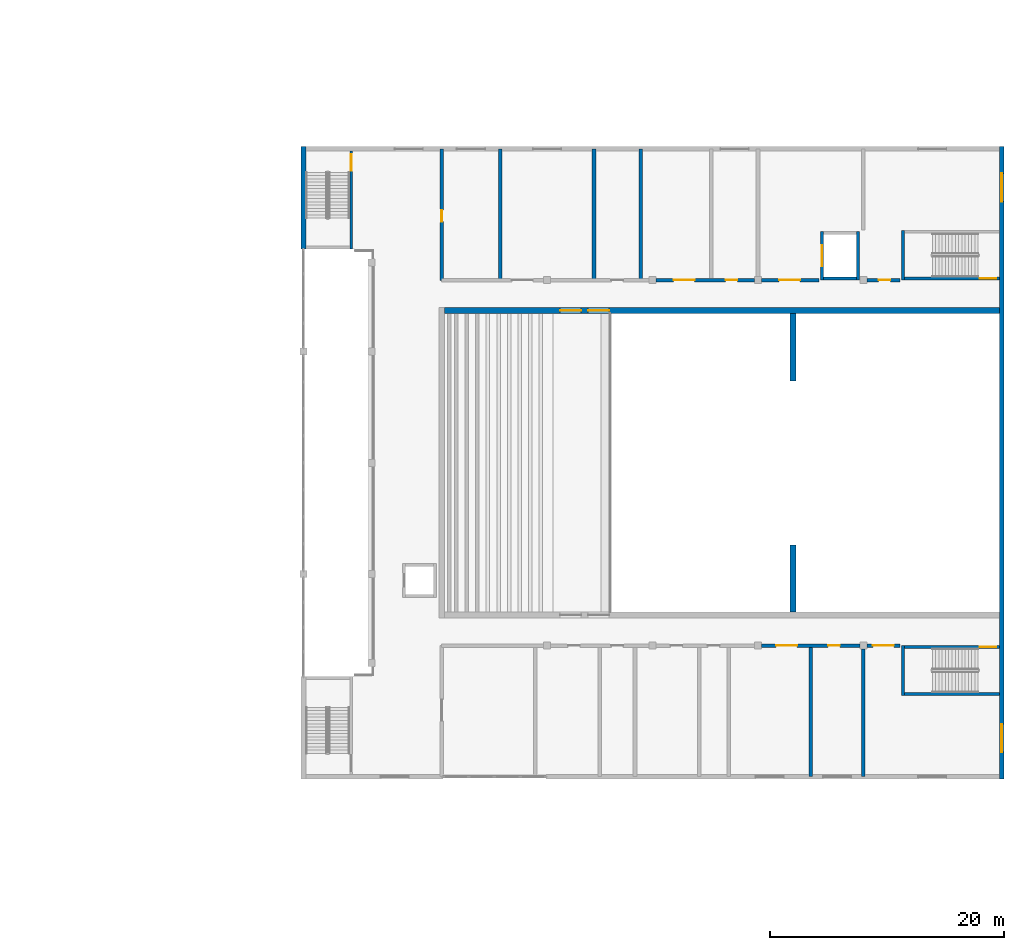
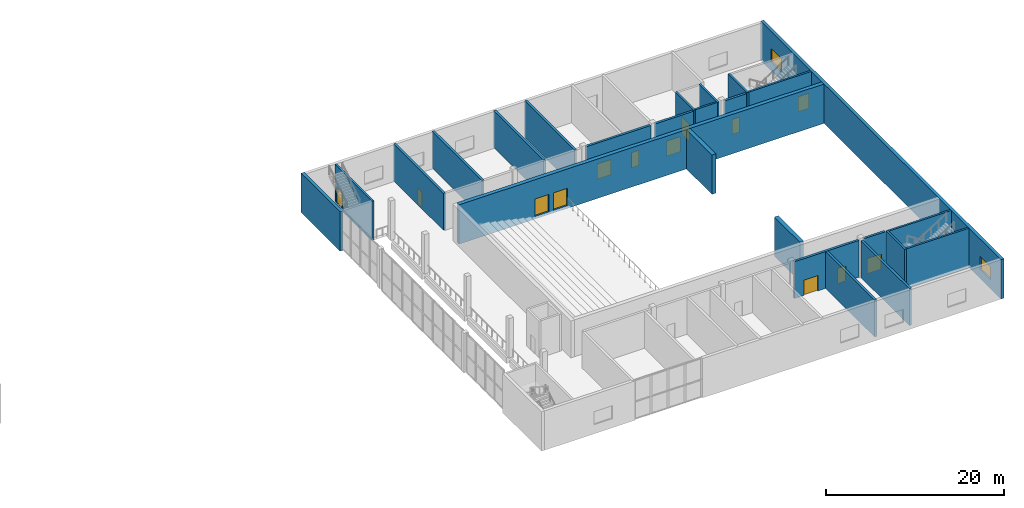
# One storey, part 23 of 44: 25 walls, 14 doors, 2 windows, 16 openings.
"""IFC4 building model written with IfcOpenShell, lengths in metres."""

from ifc_helpers import new_model, si_unit, direction, frame, frame_2d, origin, place, context, subcontext, project, spatial, rectangle, extrude, material, layer, layer_set, type_object, element, fill, save


model = new_model("IFC4")

# Units and contexts
model_context = context("Model", 3, precision=1e-05, world=origin(), true_north=direction((0.0, 1.0)))
body_context = subcontext(model_context, "Body", "Model", "MODEL_VIEW")
ifc_project = project(units=[si_unit("LENGTHUNIT", "METRE"), si_unit("AREAUNIT", "SQUARE_METRE"), si_unit("VOLUMEUNIT", "CUBIC_METRE"), si_unit("PLANEANGLEUNIT", "RADIAN"), si_unit("MASSUNIT", "GRAM", prefix="KILO")], contexts=[model_context])

# Site, building, storey
site_placement = place(None, origin())
site = spatial("IfcSite", under=ifc_project, at=site_placement, CompositionType="ELEMENT")
building_placement = place(site_placement, origin())
building = spatial("IfcBuilding", under=site, at=building_placement, Name="Hunhe Ridgeline Campus", CompositionType="ELEMENT")
storey_placement = place(building_placement, frame((0.0, 0.0, 6.0)))
storey = spatial("IfcBuildingStorey", under=building, at=storey_placement, Name="L01", CompositionType="ELEMENT", Elevation=6.0)

# Wall, openings, doors
ifc_material_1 = material(Name="Concrete C50", Category="concrete")
ifc_layer_1 = layer(ifc_material_1, 0.5)
ifc_layer_set_1 = layer_set([ifc_layer_1], Name="Auditorium RC wall 500 C50")
wall_type_1 = type_object("IfcWallType", Name="Auditorium RC wall 500 C50", PredefinedType="SOLIDWALL", material=ifc_layer_set_1)
wall_1_placement = place(storey_placement, frame((162.25, 62.5, -0.35009765625), z_axis=(0.0, 0.0, 1.0), x_axis=(1.0, 0.0, 0.0)))
wall_1 = element("IfcWall", 1, at=wall_1_placement, inside=storey, type_object=wall_type_1, Name="Auditorium RC wall L01", PredefinedType="SOLIDWALL", context=body_context, shape_type="SweptSolid", body=[
    extrude(rectangle(XDim=47.35009765625, YDim=0.5, at=frame_2d((23.675048828125, 0.0))), origin(), (0.0, 0.0, 1.0), 5.400146484375),
])
opening_1_placement = place(wall_1_placement, frame((9.85009765625, 0.0, 0.35009765625)))
opening_1 = element("IfcOpeningElement", 2, at=opening_1_placement, cuts=wall_1, Name="Opening HD76", PredefinedType="OPENING", context=body_context, shape_type="SweptSolid", body=[
    extrude(rectangle(XDim=1.800048828125, YDim=2.39990234375, at=frame_2d((0.89990234375, 1.199951171875))), frame((0.0, 0.25, 0.0), z_axis=(0.0, -1.0, 0.0), x_axis=(1.0, 0.0, 0.0)), (0.0, 0.0, 1.0), 0.5),
])
opening_2_placement = place(wall_1_placement, frame((12.25, 0.0, 0.35009765625)))
opening_2 = element("IfcOpeningElement", 3, at=opening_2_placement, cuts=wall_1, Name="Opening HD78", PredefinedType="OPENING", context=body_context, shape_type="SweptSolid", body=[
    extrude(rectangle(XDim=1.800048828125, YDim=2.39990234375, at=frame_2d((0.89990234375, 1.199951171875))), frame((0.0, 0.25, 0.0), z_axis=(0.0, -1.0, 0.0), x_axis=(1.0, 0.0, 0.0)), (0.0, 0.0, 1.0), 0.5),
])
ifc_material_2 = material(Name="Timber and lead-lined core", Category="wood")
door_type_1 = type_object("IfcDoorType", Name="Auditorium acoustic double door 1800x2400", OperationType="DOUBLE_DOOR_SINGLE_SWING", PredefinedType="DOOR", material=ifc_material_2)
door_1_placement = place(opening_1_placement, origin())
door_1 = element("IfcDoor", 4, at=door_1_placement, inside=storey, type_object=door_type_1, Name="Circle 1 exit door", OperationType="DOUBLE_DOOR_SINGLE_SWING", OverallHeight=2.39990234375, OverallWidth=1.800048828125, PredefinedType="DOOR", context=body_context, shape_type="SweptSolid", body=[
    extrude(rectangle(XDim=1.800048828125, YDim=2.39990234375, at=frame_2d((0.89990234375, 1.199951171875))), frame((0.0, 0.02490234375, 0.0), z_axis=(0.0, -1.0, 0.0), x_axis=(1.0, 0.0, 0.0)), (0.0, 0.0, 1.0), 0.050048828125),
])
fill(opening_1, door_1)
door_2_placement = place(opening_2_placement, origin())
door_2 = element("IfcDoor", 5, at=door_2_placement, inside=storey, type_object=door_type_1, Name="Circle 1 exit door", OperationType="DOUBLE_DOOR_SINGLE_SWING", OverallHeight=2.39990234375, OverallWidth=1.800048828125, PredefinedType="DOOR", context=body_context, shape_type="SweptSolid", body=[
    extrude(rectangle(XDim=1.800048828125, YDim=2.39990234375, at=frame_2d((0.89990234375, 1.199951171875))), frame((0.0, 0.02490234375, 0.0), z_axis=(0.0, -1.0, 0.0), x_axis=(1.0, 0.0, 0.0)), (0.0, 0.0, 1.0), 0.050048828125),
])
fill(opening_2, door_2)

# Walls
for number, where, z_axis, x_axis, name in (
    (6, (192.0, 36.75, -0.35009765625), (0.0, 0.0, 1.0), (0.0, 1.0, 0.0), "Auditorium RC wall L01"),
    (7, (192.0, 56.5, -0.35009765625), (0.0, 0.0, 1.0), (0.0, 1.0, 0.0), "Auditorium RC wall L01"),
):
    element("IfcWall", number, at=place(storey_placement, frame(where, z_axis=z_axis, x_axis=x_axis)), inside=storey, type_object=wall_type_1, Name=name, PredefinedType="SOLIDWALL", context=body_context, shape_type="SweptSolid", body=[
        extrude(rectangle(XDim=5.75, YDim=0.5, at=frame_2d((2.875, 0.0))), origin(), (0.0, 0.0, 1.0), 5.400146484375),
    ])

# Wall, opening, door
ifc_material_3 = material(Name="Plastered blockwork", Category="masonry")
ifc_layer_2 = layer(ifc_material_3, 0.300048828125)
ifc_layer_set_2 = layer_set([ifc_layer_2], Name="Hall blockwork partition 300")
wall_type_2 = type_object("IfcWallType", Name="Hall blockwork partition 300", PredefinedType="PARTITIONING", material=ifc_layer_set_2)
wall_2_placement = place(storey_placement, frame((162.0, 65.080078125, 0.0), z_axis=(0.0, 0.0, 1.0), x_axis=(0.0, 1.0, 0.0)))
wall_2 = element("IfcWall", 8, at=wall_2_placement, inside=storey, type_object=wall_type_2, Name="L01 partition", PredefinedType="PARTITIONING", context=body_context, shape_type="SweptSolid", body=[
    extrude(rectangle(XDim=11.18994140625, YDim=0.300048828125, at=frame_2d((5.594970703125, 0.0))), origin(), (0.0, 0.0, 1.0), 5.050048828125),
])
opening_3_placement = place(wall_2_placement, frame((5.0, 0.0, 0.0)))
opening_3 = element("IfcOpeningElement", 9, at=opening_3_placement, cuts=wall_2, Name="Opening HD26", PredefinedType="OPENING", context=body_context, shape_type="SweptSolid", body=[
    extrude(rectangle(XDim=1.0, YDim=2.10009765625, at=frame_2d((0.5, 1.050048828125))), frame((0.0, 0.14990234375, 0.0), z_axis=(0.0, -1.0, 0.0), x_axis=(1.0, 0.0, 0.0)), (0.0, 0.0, 1.0), 0.300048828125),
])
ifc_material_4 = material(Name="Timber", Category="wood")
door_type_2 = type_object("IfcDoorType", Name="Hall timber door 1000x2100", OperationType="NOTDEFINED", PredefinedType="DOOR", material=ifc_material_4)
door_3_placement = place(opening_3_placement, origin())
door_3 = element("IfcDoor", 10, at=door_3_placement, inside=storey, type_object=door_type_2, Name="Orchestra library door", OperationType="SINGLE_SWING_LEFT", OverallHeight=2.10009765625, OverallWidth=1.0, PredefinedType="DOOR", context=body_context, shape_type="SweptSolid", body=[
    extrude(rectangle(XDim=1.0, YDim=2.10009765625, at=frame_2d((0.5, 1.050048828125))), frame((0.0, 0.02490234375, 0.0), z_axis=(0.0, -1.0, 0.0), x_axis=(1.0, 0.0, 0.0)), (0.0, 0.0, 1.0), 0.050048828125),
])
fill(opening_3, door_3)

# Wall, openings, doors
wall_3_placement = place(storey_placement, frame((189.300048828125, 33.89990234375, 0.0), z_axis=(0.0, 0.0, 1.0), x_axis=(1.0, 0.0, 0.0)))
wall_3 = element("IfcWall", 11, at=wall_3_placement, inside=storey, type_object=wall_type_2, Name="L01 partition", PredefinedType="PARTITIONING", context=body_context, shape_type="SweptSolid", body=[
    extrude(rectangle(XDim=8.39990234375, YDim=0.300048828125, at=frame_2d((4.199951171875, 0.0))), origin(), (0.0, 0.0, 1.0), 5.050048828125),
])
opening_4_placement = place(wall_3_placement, frame((1.25, 0.0, 0.0)))
opening_4 = element("IfcOpeningElement", 12, at=opening_4_placement, cuts=wall_3, Name="Opening HD23", PredefinedType="OPENING", context=body_context, shape_type="SweptSolid", body=[
    extrude(rectangle(XDim=1.800048828125, YDim=2.10009765625, at=frame_2d((0.89990234375, 1.050048828125))), frame((0.0, 0.14990234375, 0.0), z_axis=(0.0, -1.0, 0.0), x_axis=(1.0, 0.0, 0.0)), (0.0, 0.0, 1.0), 0.300048828125),
])
opening_5_placement = place(wall_3_placement, frame((5.679931640625, 0.0, 0.0)))
opening_5 = element("IfcOpeningElement", 13, at=opening_5_placement, cuts=wall_3, Name="Opening HD24", PredefinedType="OPENING", context=body_context, shape_type="SweptSolid", body=[
    extrude(rectangle(XDim=1.0, YDim=2.10009765625, at=frame_2d((0.5, 1.050048828125))), frame((0.0, 0.14990234375, 0.0), z_axis=(0.0, -1.0, 0.0), x_axis=(1.0, 0.0, 0.0)), (0.0, 0.0, 1.0), 0.300048828125),
])
door_4_placement = place(opening_5_placement, origin())
door_4 = element("IfcDoor", 14, at=door_4_placement, inside=storey, type_object=door_type_2, Name="Quiet practice room door", OperationType="SINGLE_SWING_RIGHT", OverallHeight=2.10009765625, OverallWidth=1.0, PredefinedType="DOOR", context=body_context, shape_type="SweptSolid", body=[
    extrude(rectangle(XDim=1.0, YDim=2.10009765625, at=frame_2d((0.5, 1.050048828125))), frame((0.0, 0.02490234375, 0.0), z_axis=(0.0, -1.0, 0.0), x_axis=(1.0, 0.0, 0.0)), (0.0, 0.0, 1.0), 0.050048828125),
])
fill(opening_5, door_4)
door_type_3 = type_object("IfcDoorType", Name="Hall timber double door 1800x2100", OperationType="DOUBLE_DOOR_SINGLE_SWING", PredefinedType="DOOR", material=ifc_material_4)
door_5_placement = place(opening_4_placement, origin())
door_5 = element("IfcDoor", 15, at=door_5_placement, inside=storey, type_object=door_type_3, Name="Musicians' lounge door", OperationType="DOUBLE_DOOR_SINGLE_SWING", OverallHeight=2.10009765625, OverallWidth=1.800048828125, PredefinedType="DOOR", context=body_context, shape_type="SweptSolid", body=[
    extrude(rectangle(XDim=1.800048828125, YDim=2.10009765625, at=frame_2d((0.89990234375, 1.050048828125))), frame((0.0, 0.02490234375, 0.0), z_axis=(0.0, -1.0, 0.0), x_axis=(1.0, 0.0, 0.0)), (0.0, 0.0, 1.0), 0.050048828125),
])
fill(opening_4, door_5)

# Wall, opening, door
wall_4_placement = place(storey_placement, frame((198.300048828125, 33.89990234375, 0.0), z_axis=(0.0, 0.0, 1.0), x_axis=(1.0, 0.0, 0.0)))
wall_4 = element("IfcWall", 16, at=wall_4_placement, inside=storey, type_object=wall_type_2, Name="L01 partition", PredefinedType="PARTITIONING", context=body_context, shape_type="SweptSolid", body=[
    extrude(rectangle(XDim=2.820068359375, YDim=0.300048828125, at=frame_2d((1.41015625, 0.0))), origin(), (0.0, 0.0, 1.0), 5.050048828125),
])
opening_6_placement = place(wall_4_placement, frame((0.5, 0.0, 0.0)))
opening_6 = element("IfcOpeningElement", 17, at=opening_6_placement, cuts=wall_4, Name="Opening HD25", PredefinedType="OPENING", context=body_context, shape_type="SweptSolid", body=[
    extrude(rectangle(XDim=1.800048828125, YDim=2.10009765625, at=frame_2d((0.89990234375, 1.050048828125))), frame((0.0, 0.14990234375, 0.0), z_axis=(0.0, -1.0, 0.0), x_axis=(1.0, 0.0, 0.0)), (0.0, 0.0, 1.0), 0.300048828125),
])
door_6_placement = place(opening_6_placement, origin())
door_6 = element("IfcDoor", 18, at=door_6_placement, inside=storey, type_object=door_type_3, Name="Soloists' dressing room door", OperationType="DOUBLE_DOOR_SINGLE_SWING", OverallHeight=2.10009765625, OverallWidth=1.800048828125, PredefinedType="DOOR", context=body_context, shape_type="SweptSolid", body=[
    extrude(rectangle(XDim=1.800048828125, YDim=2.10009765625, at=frame_2d((0.89990234375, 1.050048828125))), frame((0.0, 0.02490234375, 0.0), z_axis=(0.0, -1.0, 0.0), x_axis=(1.0, 0.0, 0.0)), (0.0, 0.0, 1.0), 0.050048828125),
])
fill(opening_6, door_6)

# Walls
wall_5_placement = place(storey_placement, frame((193.5, 22.72998046875, 0.0), z_axis=(0.0, 0.0, 1.0), x_axis=(0.0, 1.0, 0.0)))
element("IfcWall", 19, at=wall_5_placement, inside=storey, type_object=wall_type_2, Name="L01 partition", PredefinedType="PARTITIONING", context=body_context, shape_type="SweptSolid", body=[
    extrude(rectangle(XDim=11.18994140625, YDim=0.300048828125, at=frame_2d((5.594970703125, 0.0))), origin(), (0.0, 0.0, 1.0), 5.050048828125),
])
wall_6_placement = place(storey_placement, frame((198.0, 22.72998046875, 0.0), z_axis=(0.0, 0.0, 1.0), x_axis=(0.0, 1.0, 0.0)))
element("IfcWall", 20, at=wall_6_placement, inside=storey, type_object=wall_type_2, Name="L01 partition", PredefinedType="PARTITIONING", context=body_context, shape_type="SweptSolid", body=[
    extrude(rectangle(XDim=10.8701171875, YDim=0.300048828125, at=frame_2d((5.43505859375, 0.0))), origin(), (0.0, 0.0, 1.0), 5.050048828125),
])
wall_7_placement = place(storey_placement, frame((167.0, 65.080078125, 0.0), z_axis=(0.0, 0.0, 1.0), x_axis=(0.0, 1.0, 0.0)))
element("IfcWall", 21, at=wall_7_placement, inside=storey, type_object=wall_type_2, Name="L01 partition", PredefinedType="PARTITIONING", context=body_context, shape_type="SweptSolid", body=[
    extrude(rectangle(XDim=11.18994140625, YDim=0.300048828125, at=frame_2d((5.594970703125, 0.0))), origin(), (0.0, 0.0, 1.0), 5.050048828125),
])

# Wall, openings, doors
wall_8_placement = place(storey_placement, frame((188.699951171875, 65.10009765625, 0.0), z_axis=(0.0, 0.0, 1.0), x_axis=(-1.0, 0.0, 0.0)))
wall_8 = element("IfcWall", 22, at=wall_8_placement, inside=storey, type_object=wall_type_2, Name="L01 partition", PredefinedType="PARTITIONING", context=body_context, shape_type="SweptSolid", body=[
    extrude(rectangle(XDim=8.39990234375, YDim=0.300048828125, at=frame_2d((4.199951171875, 0.0))), origin(), (0.0, 0.0, 1.0), 5.050048828125),
])
opening_7_placement = place(wall_8_placement, frame((5.10009765625, 0.0, 0.0)))
opening_7 = element("IfcOpeningElement", 23, at=opening_7_placement, cuts=wall_8, Name="Opening HD29", PredefinedType="OPENING", context=body_context, shape_type="SweptSolid", body=[
    extrude(rectangle(XDim=1.800048828125, YDim=2.10009765625, at=frame_2d((0.89990234375, 1.050048828125))), frame((0.0, 0.14990234375, 0.0), z_axis=(0.0, -1.0, 0.0), x_axis=(1.0, 0.0, 0.0)), (0.0, 0.0, 1.0), 0.300048828125),
])
opening_8_placement = place(wall_8_placement, frame((1.469970703125, 0.0, 0.0)))
opening_8 = element("IfcOpeningElement", 24, at=opening_8_placement, cuts=wall_8, Name="Opening HD30", PredefinedType="OPENING", context=body_context, shape_type="SweptSolid", body=[
    extrude(rectangle(XDim=1.0, YDim=2.10009765625, at=frame_2d((0.5, 1.050048828125))), frame((0.0, 0.14990234375, 0.0), z_axis=(0.0, -1.0, 0.0), x_axis=(1.0, 0.0, 0.0)), (0.0, 0.0, 1.0), 0.300048828125),
])
door_7_placement = place(opening_8_placement, origin())
door_7 = element("IfcDoor", 25, at=door_7_placement, inside=storey, type_object=door_type_2, Name="Music librarian's office door", OperationType="SINGLE_SWING_LEFT", OverallHeight=2.10009765625, OverallWidth=1.0, PredefinedType="DOOR", context=body_context, shape_type="SweptSolid", body=[
    extrude(rectangle(XDim=1.0, YDim=2.10009765625, at=frame_2d((0.5, 1.050048828125))), frame((0.0, 0.02490234375, 0.0), z_axis=(0.0, -1.0, 0.0), x_axis=(1.0, 0.0, 0.0)), (0.0, 0.0, 1.0), 0.050048828125),
])
fill(opening_8, door_7)
door_8_placement = place(opening_7_placement, origin())
door_8 = element("IfcDoor", 26, at=door_8_placement, inside=storey, type_object=door_type_3, Name="Costume store door", OperationType="DOUBLE_DOOR_SINGLE_SWING", OverallHeight=2.10009765625, OverallWidth=1.800048828125, PredefinedType="DOOR", context=body_context, shape_type="SweptSolid", body=[
    extrude(rectangle(XDim=1.800048828125, YDim=2.10009765625, at=frame_2d((0.89990234375, 1.050048828125))), frame((0.0, 0.02490234375, 0.0), z_axis=(0.0, -1.0, 0.0), x_axis=(1.0, 0.0, 0.0)), (0.0, 0.0, 1.0), 0.050048828125),
])
fill(opening_7, door_8)

# Wall, opening, door
wall_9_placement = place(storey_placement, frame((194.219970703125, 65.10009765625, 0.0), z_axis=(0.0, 0.0, 1.0), x_axis=(-1.0, 0.0, 0.0)))
wall_9 = element("IfcWall", 27, at=wall_9_placement, inside=storey, type_object=wall_type_2, Name="L01 partition", PredefinedType="PARTITIONING", context=body_context, shape_type="SweptSolid", body=[
    extrude(rectangle(XDim=4.919921875, YDim=0.300048828125, at=frame_2d((2.4599609375, 0.0))), origin(), (0.0, 0.0, 1.0), 5.050048828125),
])
opening_9_placement = place(wall_9_placement, frame((1.6201171875, 0.0, 0.0)))
opening_9 = element("IfcOpeningElement", 28, at=opening_9_placement, cuts=wall_9, Name="Opening HD31", PredefinedType="OPENING", context=body_context, shape_type="SweptSolid", body=[
    extrude(rectangle(XDim=1.800048828125, YDim=2.10009765625, at=frame_2d((0.89990234375, 1.050048828125))), frame((0.0, 0.14990234375, 0.0), z_axis=(0.0, -1.0, 0.0), x_axis=(1.0, 0.0, 0.0)), (0.0, 0.0, 1.0), 0.300048828125),
])
door_9_placement = place(opening_9_placement, origin())
door_9 = element("IfcDoor", 29, at=door_9_placement, inside=storey, type_object=door_type_3, Name="Scenery store door", OperationType="DOUBLE_DOOR_SINGLE_SWING", OverallHeight=2.10009765625, OverallWidth=1.800048828125, PredefinedType="DOOR", context=body_context, shape_type="SweptSolid", body=[
    extrude(rectangle(XDim=1.800048828125, YDim=2.10009765625, at=frame_2d((0.89990234375, 1.050048828125))), frame((0.0, 0.02490234375, 0.0), z_axis=(0.0, -1.0, 0.0), x_axis=(1.0, 0.0, 0.0)), (0.0, 0.0, 1.0), 0.050048828125),
])
fill(opening_9, door_9)

wall_10_placement = place(storey_placement, frame((201.1201171875, 65.10009765625, 0.0), z_axis=(0.0, 0.0, 1.0), x_axis=(-1.0, 0.0, 0.0)))
wall_10 = element("IfcWall", 30, at=wall_10_placement, inside=storey, type_object=wall_type_2, Name="L01 partition", PredefinedType="PARTITIONING", context=body_context, shape_type="SweptSolid", body=[
    extrude(rectangle(XDim=2.820068359375, YDim=0.300048828125, at=frame_2d((1.41015625, 0.0))), origin(), (0.0, 0.0, 1.0), 5.050048828125),
])
opening_10_placement = place(wall_10_placement, frame((0.820068359375, 0.0, 0.0)))
opening_10 = element("IfcOpeningElement", 31, at=opening_10_placement, cuts=wall_10, Name="Opening HD32", PredefinedType="OPENING", context=body_context, shape_type="SweptSolid", body=[
    extrude(rectangle(XDim=1.0, YDim=2.10009765625, at=frame_2d((0.5, 1.050048828125))), frame((0.0, 0.14990234375, 0.0), z_axis=(0.0, -1.0, 0.0), x_axis=(1.0, 0.0, 0.0)), (0.0, 0.0, 1.0), 0.300048828125),
])
door_10_placement = place(opening_10_placement, origin())
door_10 = element("IfcDoor", 32, at=door_10_placement, inside=storey, type_object=door_type_2, Name="Wardrobe door", OperationType="SINGLE_SWING_LEFT", OverallHeight=2.10009765625, OverallWidth=1.0, PredefinedType="DOOR", context=body_context, shape_type="SweptSolid", body=[
    extrude(rectangle(XDim=1.0, YDim=2.10009765625, at=frame_2d((0.5, 1.050048828125))), frame((0.0, 0.02490234375, 0.0), z_axis=(0.0, -1.0, 0.0), x_axis=(1.0, 0.0, 0.0)), (0.0, 0.0, 1.0), 0.050048828125),
])
fill(opening_10, door_10)

# Walls
for number, where, z_axis, x_axis, name in (
    (33, (175.0, 65.080078125, 0.0), (0.0, 0.0, 1.0), (0.0, 1.0, 0.0), "L01 partition"),
    (34, (179.0, 65.080078125, 0.0), (0.0, 0.0, 1.0), (0.0, 1.0, 0.0), "L01 partition"),
):
    element("IfcWall", number, at=place(storey_placement, frame(where, z_axis=z_axis, x_axis=x_axis)), inside=storey, type_object=wall_type_2, Name=name, PredefinedType="PARTITIONING", context=body_context, shape_type="SweptSolid", body=[
        extrude(rectangle(XDim=11.18994140625, YDim=0.300048828125, at=frame_2d((5.594970703125, 0.0))), origin(), (0.0, 0.0, 1.0), 5.050048828125),
    ])
ifc_material_5 = material(Name="Concrete C40", Category="concrete")
ifc_layer_3 = layer(ifc_material_5, 0.39990234375)
ifc_layer_set_3 = layer_set([ifc_layer_3], Name="Hall external RC wall 400 C40")
wall_type_3 = type_object("IfcWallType", Name="Hall external RC wall 400 C40", PredefinedType="SOLIDWALL", material=ifc_layer_set_3)
wall_11_placement = place(storey_placement, frame((150.199951171875, 67.75, -0.35009765625), z_axis=(0.0, 0.0, 1.0), x_axis=(0.0, 1.0, 0.0)))
element("IfcWall", 35, at=wall_11_placement, inside=storey, type_object=wall_type_3, Name="Hall L01 west wall 3", PredefinedType="SOLIDWALL", context=body_context, shape_type="SweptSolid", body=[
    extrude(rectangle(XDim=8.75, YDim=0.39990234375, at=frame_2d((4.375, 0.0))), origin(), (0.0, 0.0, 1.0), 5.400146484375),
])

# Wall, openings, windows
wall_12_placement = place(storey_placement, frame((209.800048828125, 76.5, -0.35009765625), z_axis=(0.0, 0.0, 1.0), x_axis=(0.0, -1.0, 0.0)))
wall_12 = element("IfcWall", 36, at=wall_12_placement, inside=storey, type_object=wall_type_3, Name="Hall L01 east wall", PredefinedType="SOLIDWALL", context=body_context, shape_type="SweptSolid", body=[
    extrude(rectangle(XDim=54.0, YDim=0.39990234375, at=frame_2d((27.0, 0.0))), origin(), (0.0, 0.0, 1.0), 5.400146484375),
])
opening_11_placement = place(wall_12_placement, frame((49.300048828125, 0.0, 1.25)))
opening_11 = element("IfcOpeningElement", 37, at=opening_11_placement, cuts=wall_12, Name="Opening HWN08", PredefinedType="OPENING", context=body_context, shape_type="SweptSolid", body=[
    extrude(rectangle(XDim=2.39990234375, YDim=1.800048828125, at=frame_2d((1.199951171875, 0.89990234375))), frame((0.0, 0.199951171875, 0.0), z_axis=(0.0, -1.0, 0.0), x_axis=(1.0, 0.0, 0.0)), (0.0, 0.0, 1.0), 0.39990234375),
])
opening_12_placement = place(wall_12_placement, frame((2.300048828125, 0.0, 1.25)))
opening_12 = element("IfcOpeningElement", 38, at=opening_12_placement, cuts=wall_12, Name="Opening HWN10", PredefinedType="OPENING", context=body_context, shape_type="SweptSolid", body=[
    extrude(rectangle(XDim=2.39990234375, YDim=1.800048828125, at=frame_2d((1.199951171875, 0.89990234375))), frame((0.0, 0.199951171875, 0.0), z_axis=(0.0, -1.0, 0.0), x_axis=(1.0, 0.0, 0.0)), (0.0, 0.0, 1.0), 0.39990234375),
])
ifc_material_6 = material(Name="Aluminium and glass", Category="aluminium")
window_type = type_object("IfcWindowType", Name="Hall window 2400x1800", PartitioningType="SINGLE_PANEL", PredefinedType="WINDOW", material=ifc_material_6)
window_1_placement = place(opening_11_placement, origin())
window_1 = element("IfcWindow", 39, at=window_1_placement, inside=storey, type_object=window_type, Name="L01 window", OverallHeight=1.800048828125, OverallWidth=2.39990234375, PartitioningType="SINGLE_PANEL", PredefinedType="WINDOW", context=body_context, shape_type="SweptSolid", body=[
    extrude(rectangle(XDim=2.39990234375, YDim=1.800048828125, at=frame_2d((1.199951171875, 0.89990234375))), frame((0.0, 0.030029296875, 0.0), z_axis=(0.0, -1.0, 0.0), x_axis=(1.0, 0.0, 0.0)), (0.0, 0.0, 1.0), 0.06005859375),
])
fill(opening_11, window_1)
window_2_placement = place(opening_12_placement, origin())
window_2 = element("IfcWindow", 40, at=window_2_placement, inside=storey, type_object=window_type, Name="L01 window", OverallHeight=1.800048828125, OverallWidth=2.39990234375, PartitioningType="SINGLE_PANEL", PredefinedType="WINDOW", context=body_context, shape_type="SweptSolid", body=[
    extrude(rectangle(XDim=2.39990234375, YDim=1.800048828125, at=frame_2d((1.199951171875, 0.89990234375))), frame((0.0, 0.030029296875, 0.0), z_axis=(0.0, -1.0, 0.0), x_axis=(1.0, 0.0, 0.0)), (0.0, 0.0, 1.0), 0.06005859375),
])
fill(opening_12, window_2)

# Wall, opening, door
ifc_layer_4 = layer(ifc_material_5, 0.25)
ifc_layer_set_4 = layer_set([ifc_layer_4], Name="Hall shaft wall 250 C40")
wall_type_4 = type_object("IfcWallType", Name="Hall shaft wall 250 C40", PredefinedType="SOLIDWALL", material=ifc_layer_set_4)
wall_13_placement = place(storey_placement, frame((154.27490234375, 76.10009765625, -0.35009765625), z_axis=(0.0, 0.0, 1.0), x_axis=(0.0, -1.0, 0.0)))
wall_13 = element("IfcWall", 41, at=wall_13_placement, inside=storey, type_object=wall_type_4, Name="L01 stair HS2 shaft wall", PredefinedType="SOLIDWALL", context=body_context, shape_type="SweptSolid", body=[
    extrude(rectangle(XDim=8.35009765625, YDim=0.25, at=frame_2d((4.175048828125, 0.0))), origin(), (0.0, 0.0, 1.0), 5.400146484375),
])
opening_13_placement = place(wall_13_placement, frame((0.25, 0.0, 0.35009765625)))
opening_13 = element("IfcOpeningElement", 42, at=opening_13_placement, cuts=wall_13, Name="Opening HD98", PredefinedType="OPENING", context=body_context, shape_type="SweptSolid", body=[
    extrude(rectangle(XDim=1.39990234375, YDim=2.10009765625, at=frame_2d((0.699951171875, 1.050048828125))), frame((0.0, 0.125, 0.0), z_axis=(0.0, -1.0, 0.0), x_axis=(1.0, 0.0, 0.0)), (0.0, 0.0, 1.0), 0.25),
])
ifc_material_7 = material(Name="Steel Q235", Category="steel")
door_type_4 = type_object("IfcDoorType", Name="Hall fire door 1400x2100 FD60", OperationType="NOTDEFINED", PredefinedType="DOOR", material=ifc_material_7)
door_11_placement = place(opening_13_placement, origin())
door_11 = element("IfcDoor", 43, at=door_11_placement, inside=storey, type_object=door_type_4, Name="L01 stair HS2 door", OperationType="SINGLE_SWING_RIGHT", OverallHeight=2.10009765625, OverallWidth=1.39990234375, PredefinedType="DOOR", context=body_context, shape_type="SweptSolid", body=[
    extrude(rectangle(XDim=1.39990234375, YDim=2.10009765625, at=frame_2d((0.699951171875, 1.050048828125))), frame((0.0, 0.02490234375, 0.0), z_axis=(0.0, -1.0, 0.0), x_axis=(1.0, 0.0, 0.0)), (0.0, 0.0, 1.0), 0.050048828125),
])
fill(opening_13, door_11)

# Walls
wall_14_placement = place(storey_placement, frame((201.375, 29.64990234375, -0.35009765625), z_axis=(0.0, 0.0, 1.0), x_axis=(0.0, 1.0, 0.0)))
element("IfcWall", 44, at=wall_14_placement, inside=storey, type_object=wall_type_4, Name="L01 stair HS3 shaft wall", PredefinedType="SOLIDWALL", context=body_context, shape_type="SweptSolid", body=[
    extrude(rectangle(XDim=4.25, YDim=0.25, at=frame_2d((2.125, 0.0))), origin(), (0.0, 0.0, 1.0), 5.400146484375),
])
wall_15_placement = place(storey_placement, frame((209.60009765625, 29.77490234375, -0.35009765625), z_axis=(0.0, 0.0, 1.0), x_axis=(-1.0, 0.0, 0.0)))
element("IfcWall", 45, at=wall_15_placement, inside=storey, type_object=wall_type_4, Name="L01 stair HS3 shaft wall", PredefinedType="SOLIDWALL", context=body_context, shape_type="SweptSolid", body=[
    extrude(rectangle(XDim=8.10009765625, YDim=0.25, at=frame_2d((4.050048828125, 0.0))), origin(), (0.0, 0.0, 1.0), 5.400146484375),
])

# Wall, opening, door
wall_16_placement = place(storey_placement, frame((201.5, 33.77490234375, -0.35009765625), z_axis=(0.0, 0.0, 1.0), x_axis=(1.0, 0.0, 0.0)))
wall_16 = element("IfcWall", 46, at=wall_16_placement, inside=storey, type_object=wall_type_4, Name="L01 stair HS3 shaft wall", PredefinedType="SOLIDWALL", context=body_context, shape_type="SweptSolid", body=[
    extrude(rectangle(XDim=8.10009765625, YDim=0.25, at=frame_2d((4.050048828125, 0.0))), origin(), (0.0, 0.0, 1.0), 5.400146484375),
])
opening_14_placement = place(wall_16_placement, frame((6.449951171875, 0.0, 0.35009765625)))
opening_14 = element("IfcOpeningElement", 47, at=opening_14_placement, cuts=wall_16, Name="Opening HD102", PredefinedType="OPENING", context=body_context, shape_type="SweptSolid", body=[
    extrude(rectangle(XDim=1.39990234375, YDim=2.10009765625, at=frame_2d((0.699951171875, 1.050048828125))), frame((0.0, 0.125, 0.0), z_axis=(0.0, -1.0, 0.0), x_axis=(1.0, 0.0, 0.0)), (0.0, 0.0, 1.0), 0.25),
])
door_12_placement = place(opening_14_placement, origin())
door_12 = element("IfcDoor", 48, at=door_12_placement, inside=storey, type_object=door_type_4, Name="L01 stair HS3 door", OperationType="SINGLE_SWING_LEFT", OverallHeight=2.10009765625, OverallWidth=1.39990234375, PredefinedType="DOOR", context=body_context, shape_type="SweptSolid", body=[
    extrude(rectangle(XDim=1.39990234375, YDim=2.10009765625, at=frame_2d((0.699951171875, 1.050048828125))), frame((0.0, 0.02490234375, 0.0), z_axis=(0.0, -1.0, 0.0), x_axis=(1.0, 0.0, 0.0)), (0.0, 0.0, 1.0), 0.050048828125),
])
fill(opening_14, door_12)

# Wall
wall_17_placement = place(storey_placement, frame((201.375, 65.10009765625, -0.35009765625), z_axis=(0.0, 0.0, 1.0), x_axis=(0.0, 1.0, 0.0)))
element("IfcWall", 49, at=wall_17_placement, inside=storey, type_object=wall_type_4, Name="L01 stair HS4 shaft wall", PredefinedType="SOLIDWALL", context=body_context, shape_type="SweptSolid", body=[
    extrude(rectangle(XDim=4.25, YDim=0.25, at=frame_2d((2.125, 0.0))), origin(), (0.0, 0.0, 1.0), 5.400146484375),
])

# Wall, opening, door
wall_18_placement = place(storey_placement, frame((209.60009765625, 65.22509765625, -0.35009765625), z_axis=(0.0, 0.0, 1.0), x_axis=(-1.0, 0.0, 0.0)))
wall_18 = element("IfcWall", 50, at=wall_18_placement, inside=storey, type_object=wall_type_4, Name="L01 stair HS4 shaft wall", PredefinedType="SOLIDWALL", context=body_context, shape_type="SweptSolid", body=[
    extrude(rectangle(XDim=8.10009765625, YDim=0.25, at=frame_2d((4.050048828125, 0.0))), origin(), (0.0, 0.0, 1.0), 5.400146484375),
])
opening_15_placement = place(wall_18_placement, frame((0.25, 0.0, 0.35009765625)))
opening_15 = element("IfcOpeningElement", 51, at=opening_15_placement, cuts=wall_18, Name="Opening HD106", PredefinedType="OPENING", context=body_context, shape_type="SweptSolid", body=[
    extrude(rectangle(XDim=1.39990234375, YDim=2.10009765625, at=frame_2d((0.699951171875, 1.050048828125))), frame((0.0, 0.125, 0.0), z_axis=(0.0, -1.0, 0.0), x_axis=(1.0, 0.0, 0.0)), (0.0, 0.0, 1.0), 0.25),
])
door_13_placement = place(opening_15_placement, origin())
door_13 = element("IfcDoor", 52, at=door_13_placement, inside=storey, type_object=door_type_4, Name="L01 stair HS4 door", OperationType="SINGLE_SWING_RIGHT", OverallHeight=2.10009765625, OverallWidth=1.39990234375, PredefinedType="DOOR", context=body_context, shape_type="SweptSolid", body=[
    extrude(rectangle(XDim=1.39990234375, YDim=2.10009765625, at=frame_2d((0.699951171875, 1.050048828125))), frame((0.0, 0.02490234375, 0.0), z_axis=(0.0, -1.0, 0.0), x_axis=(1.0, 0.0, 0.0)), (0.0, 0.0, 1.0), 0.050048828125),
])
fill(opening_15, door_13)

wall_19_placement = place(storey_placement, frame((194.47509765625, 65.10009765625, -0.35009765625), z_axis=(0.0, 0.0, 1.0), x_axis=(0.0, 1.0, 0.0)))
wall_19 = element("IfcWall", 53, at=wall_19_placement, inside=storey, type_object=wall_type_4, Name="L01 lift HL2 shaft wall", PredefinedType="SOLIDWALL", context=body_context, shape_type="SweptSolid", body=[
    extrude(rectangle(XDim=4.14990234375, YDim=0.25, at=frame_2d((2.074951171875, 0.0))), origin(), (0.0, 0.0, 1.0), 5.400146484375),
])
opening_16_placement = place(wall_19_placement, frame((1.175048828125, 0.0, 0.35009765625)))
opening_16 = element("IfcOpeningElement", 54, at=opening_16_placement, cuts=wall_19, Name="Opening LDG", PredefinedType="OPENING", context=body_context, shape_type="SweptSolid", body=[
    extrude(rectangle(XDim=1.800048828125, YDim=2.39990234375, at=frame_2d((0.89990234375, 1.199951171875))), frame((0.0, 0.125, 0.0), z_axis=(0.0, -1.0, 0.0), x_axis=(1.0, 0.0, 0.0)), (0.0, 0.0, 1.0), 0.25),
])
ifc_material_8 = material(Name="Stainless steel sliding leaves", Category="steel")
door_type_5 = type_object("IfcDoorType", Name="Hall goods lift landing door 1800x2400", OperationType="SLIDING_TO_LEFT", PredefinedType="DOOR", material=ifc_material_8)
door_14_placement = place(opening_16_placement, origin())
door_14 = element("IfcDoor", 55, at=door_14_placement, inside=storey, type_object=door_type_5, Name="L01 lift HL2 landing door", OperationType="SLIDING_TO_RIGHT", OverallHeight=2.39990234375, OverallWidth=1.800048828125, PredefinedType="DOOR", context=body_context, shape_type="SweptSolid", body=[
    extrude(rectangle(XDim=1.800048828125, YDim=2.39990234375, at=frame_2d((0.89990234375, 1.199951171875))), frame((0.0, 0.02490234375, 0.0), z_axis=(0.0, -1.0, 0.0), x_axis=(1.0, 0.0, 0.0)), (0.0, 0.0, 1.0), 0.050048828125),
])
fill(opening_16, door_14)

# Walls
wall_20_placement = place(storey_placement, frame((197.52490234375, 69.25, -0.35009765625), z_axis=(0.0, 0.0, 1.0), x_axis=(0.0, -1.0, 0.0)))
element("IfcWall", 56, at=wall_20_placement, inside=storey, type_object=wall_type_4, Name="L01 lift HL2 shaft wall", PredefinedType="SOLIDWALL", context=body_context, shape_type="SweptSolid", body=[
    extrude(rectangle(XDim=4.14990234375, YDim=0.25, at=frame_2d((2.074951171875, 0.0))), origin(), (0.0, 0.0, 1.0), 5.400146484375),
])
wall_21_placement = place(storey_placement, frame((197.39990234375, 65.22509765625, -0.35009765625), z_axis=(0.0, 0.0, 1.0), x_axis=(-1.0, 0.0, 0.0)))
element("IfcWall", 57, at=wall_21_placement, inside=storey, type_object=wall_type_4, Name="L01 lift HL2 shaft wall", PredefinedType="SOLIDWALL", context=body_context, shape_type="SweptSolid", body=[
    extrude(rectangle(XDim=2.7998046875, YDim=0.25, at=frame_2d((1.39990234375, 0.0))), origin(), (0.0, 0.0, 1.0), 5.400146484375),
])

save(model, "model.ifc")
